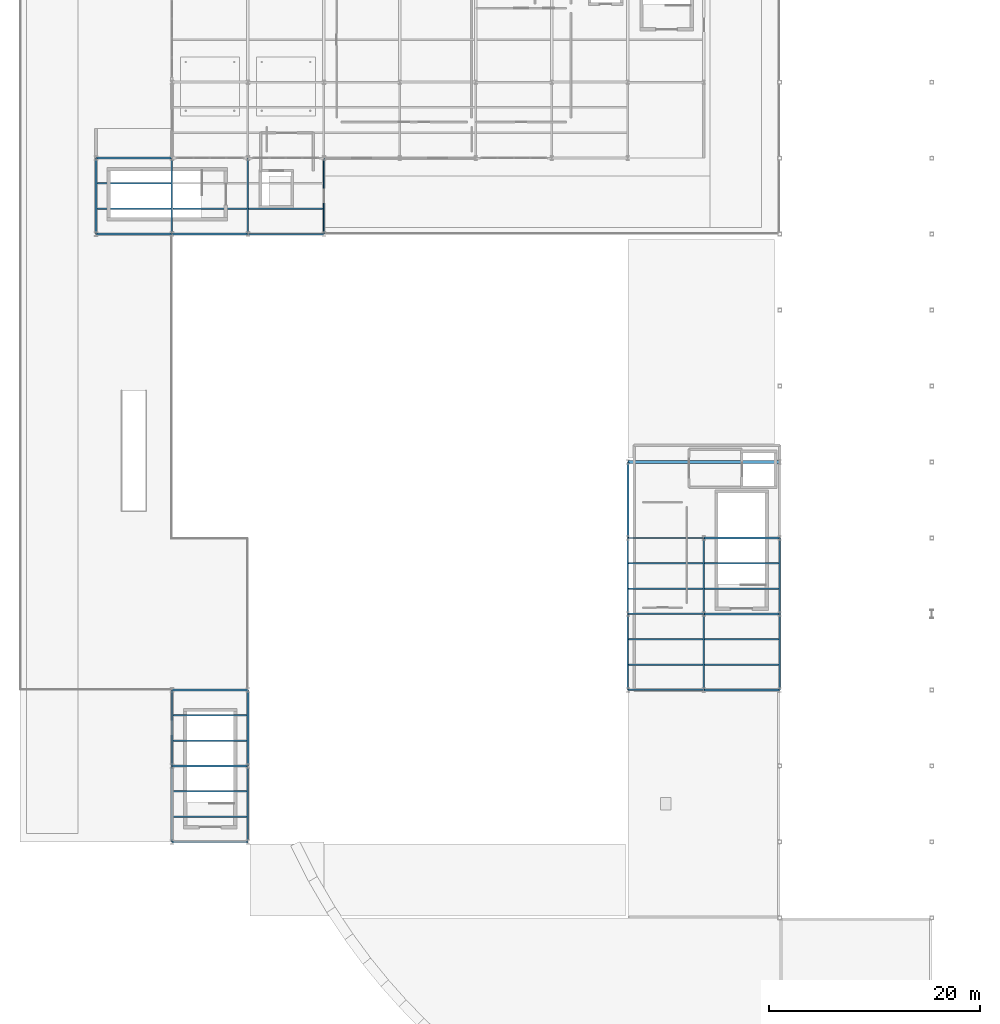
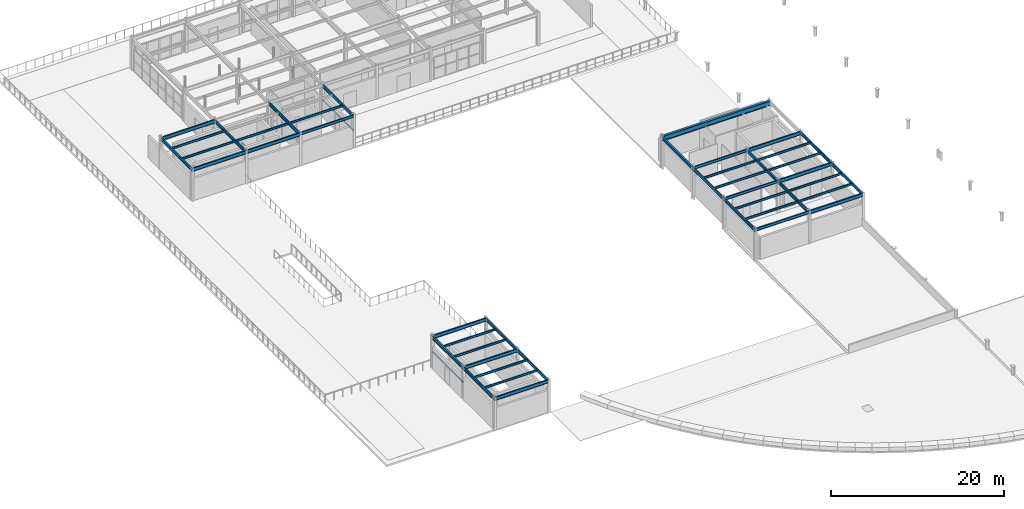
# One storey, part 11 of 41: 47 beams.
"""IFC4 building model written with IfcOpenShell, lengths in metres."""

from ifc_helpers import new_model, si_unit, direction, frame, origin, origin_2d, place, context, subcontext, project, spatial, i_section, extrude, material, material_profile, profile_set, type_object, element, save


model = new_model("IFC4")

# Units and contexts
model_context = context("Model", 3, precision=1e-05, world=origin(), true_north=direction((0.0, 1.0)))
body_context = subcontext(model_context, "Body", "Model", "MODEL_VIEW")
ifc_project = project(units=[si_unit("LENGTHUNIT", "METRE"), si_unit("AREAUNIT", "SQUARE_METRE"), si_unit("VOLUMEUNIT", "CUBIC_METRE"), si_unit("PLANEANGLEUNIT", "RADIAN"), si_unit("MASSUNIT", "GRAM", prefix="KILO")], contexts=[model_context])

# Site, building, storey
site_placement = place(None, origin())
site = spatial("IfcSite", under=ifc_project, at=site_placement, CompositionType="ELEMENT")
building_placement = place(site_placement, origin())
building = spatial("IfcBuilding", under=site, at=building_placement, Name="Solvadek Multi-Sports Hall", CompositionType="ELEMENT")
storey_placement = place(building_placement, frame((0.0, 0.0, 14.39990234375)))
storey = spatial("IfcBuildingStorey", under=building, at=storey_placement, Name="L03", CompositionType="ELEMENT", Elevation=14.39990234375)

# Beams
ifc_material_1 = material(Name="Steel E350 (350 MPa)", Category="steel")
ifc_material_profile_1 = material_profile(ifc_material_1, i_section(OverallWidth=0.139892578125, OverallDepth=0.39990234375, WebThickness=0.0087890625, FlangeThickness=0.01611328125, at=origin_2d()), Name="ISMB 400")
ifc_profile_set_1 = profile_set([ifc_material_profile_1], Name="Steel E350 (350 MPa)")
beam_type_1 = type_object("IfcBeamType", Name="STR-BM-ISMB400", PredefinedType="BEAM", material=ifc_profile_set_1)
for number, where, z_axis, x_axis, name in (
    (1, (57.60009765625, 34.800048828125, 4.400146484375), (1.0, 0.0, 0.0), (0.0, 1.0, 0.0), "L03 Girder B-10 #1612"),
    (2, (57.60009765625, 42.0, 4.400146484375), (1.0, 0.0, 0.0), (0.0, 1.0, 0.0), "L03 Girder B-10 #1614"),
    (3, (57.60009765625, 49.199951171875, 4.400146484375), (1.0, 0.0, 0.0), (0.0, 1.0, 0.0), "L03 Girder B-10 #1619"),
    (4, (21.60009765625, 78.0, 4.400146484375), (1.0, 0.0, 0.0), (0.0, 1.0, 0.0), "L03 Girder B-10 #1628"),
):
    element("IfcBeam", number, at=place(storey_placement, frame(where, z_axis=z_axis, x_axis=x_axis)), inside=storey, type_object=beam_type_1, Name=name, PredefinedType="BEAM", context=body_context, shape_type="SweptSolid", body=[
        extrude(i_section(OverallWidth=0.139892578125, OverallDepth=0.39990234375, WebThickness=0.0087890625, FlangeThickness=0.01611328125, at=origin_2d()), origin(), (0.0, 0.0, 1.0), 7.199951171875),
    ])
ifc_material_profile_2 = material_profile(ifc_material_1, i_section(OverallWidth=0.14990234375, OverallDepth=0.449951171875, WebThickness=0.009521484375, FlangeThickness=0.017333984375, at=origin_2d()), Name="ISMB 450")
ifc_profile_set_2 = profile_set([ifc_material_profile_2], Name="Steel E350 (350 MPa)")
beam_type_2 = type_object("IfcBeamType", Name="STR-BM-ISMB450", PredefinedType="BEAM", material=ifc_profile_set_2)
beam_1_placement = place(storey_placement, frame((7.199951171875, 78.0, 4.375), z_axis=(0.0, 1.0, 0.0), x_axis=(-1.0, 0.0, 0.0)))
element("IfcBeam", 5, at=beam_1_placement, inside=storey, type_object=beam_type_2, Name="L03 Girder B-09 #1652", PredefinedType="BEAM", context=body_context, shape_type="SweptSolid", body=[
    extrude(i_section(OverallWidth=0.14990234375, OverallDepth=0.449951171875, WebThickness=0.009521484375, FlangeThickness=0.017333984375, at=origin_2d()), origin(), (0.0, 0.0, 1.0), 7.199951171875),
])
beam_2_placement = place(storey_placement, frame((14.39990234375, 20.39990234375, 4.375), z_axis=(0.0, 1.0, 0.0), x_axis=(-1.0, 0.0, 0.0)))
element("IfcBeam", 6, at=beam_2_placement, inside=storey, type_object=beam_type_2, Name="L03 Girder B-09 #1653", PredefinedType="BEAM", context=body_context, shape_type="SweptSolid", body=[
    extrude(i_section(OverallWidth=0.14990234375, OverallDepth=0.449951171875, WebThickness=0.009521484375, FlangeThickness=0.017333984375, at=origin_2d()), origin(), (0.0, 0.0, 1.0), 7.2001953125),
])
beam_3_placement = place(storey_placement, frame((14.39990234375, 78.0, 4.375), z_axis=(0.0, 1.0, 0.0), x_axis=(-1.0, 0.0, 0.0)))
element("IfcBeam", 7, at=beam_3_placement, inside=storey, type_object=beam_type_2, Name="L03 Girder B-09 #1655", PredefinedType="BEAM", context=body_context, shape_type="SweptSolid", body=[
    extrude(i_section(OverallWidth=0.14990234375, OverallDepth=0.449951171875, WebThickness=0.009521484375, FlangeThickness=0.017333984375, at=origin_2d()), origin(), (0.0, 0.0, 1.0), 7.199951171875),
])
beam_4_placement = place(storey_placement, frame((21.60009765625, 20.39990234375, 4.375), z_axis=(0.0, 1.0, 0.0), x_axis=(-1.0, 0.0, 0.0)))
element("IfcBeam", 8, at=beam_4_placement, inside=storey, type_object=beam_type_2, Name="L03 Girder B-09 #1658", PredefinedType="BEAM", context=body_context, shape_type="SweptSolid", body=[
    extrude(i_section(OverallWidth=0.14990234375, OverallDepth=0.449951171875, WebThickness=0.009521484375, FlangeThickness=0.017333984375, at=origin_2d()), origin(), (0.0, 0.0, 1.0), 7.2001953125),
])
for number, where, z_axis, x_axis, name in (
    (9, (21.60009765625, 78.0, 4.375), (0.0, 1.0, 0.0), (-1.0, 0.0, 0.0), "L03 Girder B-09 #1660"),
    (10, (28.800048828125, 78.0, 4.375), (0.0, 1.0, 0.0), (-1.0, 0.0, 0.0), "L03 Girder B-09 #1663"),
    (11, (57.60009765625, 34.800048828125, 4.375), (0.0, 1.0, 0.0), (-1.0, 0.0, 0.0), "L03 Girder B-09 #1673"),
    (12, (57.60009765625, 42.0, 4.375), (0.0, 1.0, 0.0), (-1.0, 0.0, 0.0), "L03 Girder B-09 #1674"),
    (13, (64.800048828125, 34.800048828125, 4.375), (0.0, 1.0, 0.0), (-1.0, 0.0, 0.0), "L03 Girder B-09 #1679"),
    (14, (64.800048828125, 42.0, 4.375), (0.0, 1.0, 0.0), (-1.0, 0.0, 0.0), "L03 Girder B-09 #1680"),
    (15, (72.0, 34.800048828125, 4.375), (0.0, 1.0, 0.0), (-1.0, 0.0, 0.0), "L03 Girder B-09 #1683"),
    (16, (72.0, 42.0, 4.375), (0.0, 1.0, 0.0), (-1.0, 0.0, 0.0), "L03 Girder B-09 #1684"),
):
    element("IfcBeam", number, at=place(storey_placement, frame(where, z_axis=z_axis, x_axis=x_axis)), inside=storey, type_object=beam_type_2, Name=name, PredefinedType="BEAM", context=body_context, shape_type="SweptSolid", body=[
        extrude(i_section(OverallWidth=0.14990234375, OverallDepth=0.449951171875, WebThickness=0.009521484375, FlangeThickness=0.017333984375, at=origin_2d()), origin(), (0.0, 0.0, 1.0), 7.199951171875),
    ])
ifc_material_profile_3 = material_profile(ifc_material_1, i_section(OverallWidth=0.179931640625, OverallDepth=0.5, WebThickness=0.01025390625, FlangeThickness=0.01708984375, at=origin_2d()), Name="ISMB 500")
ifc_profile_set_3 = profile_set([ifc_material_profile_3], Name="Steel E350 (350 MPa)")
beam_type_3 = type_object("IfcBeamType", Name="STR-BM-ISMB500", PredefinedType="BEAM", material=ifc_profile_set_3)
for number, where, z_axis, x_axis, name in (
    (17, (14.39990234375, 20.39990234375, 4.35009765625), (1.0, 0.0, 0.0), (0.0, 1.0, 0.0), "L03 Girder B-07 #1609"),
    (18, (14.39990234375, 27.60009765625, 4.35009765625), (1.0, 0.0, 0.0), (0.0, 1.0, 0.0), "L03 Girder B-07 #1610"),
    (19, (14.39990234375, 34.800048828125, 4.35009765625), (1.0, 0.0, 0.0), (0.0, 1.0, 0.0), "L03 Girder B-07 #1611"),
):
    element("IfcBeam", number, at=place(storey_placement, frame(where, z_axis=z_axis, x_axis=x_axis)), inside=storey, type_object=beam_type_3, Name=name, PredefinedType="BEAM", context=body_context, shape_type="SweptSolid", body=[
        extrude(i_section(OverallWidth=0.179931640625, OverallDepth=0.5, WebThickness=0.01025390625, FlangeThickness=0.01708984375, at=origin_2d()), origin(), (0.0, 0.0, 1.0), 7.2001953125),
    ])
for number, where, z_axis, x_axis, name in (
    (20, (64.800048828125, 34.800048828125, 4.35009765625), (1.0, 0.0, 0.0), (0.0, 1.0, 0.0), "L03 Girder B-07 #1613"),
    (21, (64.800048828125, 42.0, 4.35009765625), (1.0, 0.0, 0.0), (0.0, 1.0, 0.0), "L03 Girder B-07 #1615"),
    (22, (64.800048828125, 49.199951171875, 4.35009765625), (1.0, 0.0, 0.0), (0.0, 1.0, 0.0), "L03 Girder B-07 #1620"),
    (23, (7.199951171875, 78.0, 4.35009765625), (1.0, 0.0, 0.0), (0.0, 1.0, 0.0), "L03 Girder B-07 #1626"),
):
    element("IfcBeam", number, at=place(storey_placement, frame(where, z_axis=z_axis, x_axis=x_axis)), inside=storey, type_object=beam_type_3, Name=name, PredefinedType="BEAM", context=body_context, shape_type="SweptSolid", body=[
        extrude(i_section(OverallWidth=0.179931640625, OverallDepth=0.5, WebThickness=0.01025390625, FlangeThickness=0.01708984375, at=origin_2d()), origin(), (0.0, 0.0, 1.0), 7.199951171875),
    ])
beam_5_placement = place(storey_placement, frame((14.39990234375, 78.0, 4.35009765625), z_axis=(1.0, 0.0, 0.0), x_axis=(0.0, 1.0, 0.0)))
element("IfcBeam", 24, at=beam_5_placement, inside=storey, type_object=beam_type_3, Name="L03 Girder B-07 #1627", PredefinedType="BEAM", context=body_context, shape_type="SweptSolid", body=[
    extrude(i_section(OverallWidth=0.179931640625, OverallDepth=0.5, WebThickness=0.01025390625, FlangeThickness=0.01708984375, at=origin_2d()), origin(), (0.0, 0.0, 1.0), 7.2001953125),
])
beam_6_placement = place(storey_placement, frame((7.199951171875, 85.199951171875, 4.35009765625), z_axis=(1.0, 0.0, 0.0), x_axis=(0.0, 1.0, 0.0)))
element("IfcBeam", 25, at=beam_6_placement, inside=storey, type_object=beam_type_3, Name="L03 Girder B-07 #1629", PredefinedType="BEAM", context=body_context, shape_type="SweptSolid", body=[
    extrude(i_section(OverallWidth=0.179931640625, OverallDepth=0.5, WebThickness=0.01025390625, FlangeThickness=0.01708984375, at=origin_2d()), origin(), (0.0, 0.0, 1.0), 7.199951171875),
])
ifc_material_profile_4 = material_profile(ifc_material_1, i_section(OverallWidth=0.18994140625, OverallDepth=0.449951171875, WebThickness=0.009521484375, FlangeThickness=0.0146484375, at=origin_2d()), Name="NPB 450")
ifc_profile_set_4 = profile_set([ifc_material_profile_4], Name="Steel E350 (350 MPa)")
beam_type_4 = type_object("IfcBeamType", Name="STR-BM-NPB450", PredefinedType="BEAM", material=ifc_profile_set_4)
for number, where, z_axis, x_axis, name in (
    (26, (14.39990234375, 27.60009765625, 4.375), (0.0, 1.0, 0.0), (-1.0, 0.0, 0.0), "L03 Girder B-08 #1654"),
    (27, (21.60009765625, 27.60009765625, 4.375), (0.0, 1.0, 0.0), (-1.0, 0.0, 0.0), "L03 Girder B-08 #1659"),
    (28, (57.60009765625, 49.199951171875, 4.375), (0.0, 1.0, 0.0), (-1.0, 0.0, 0.0), "L03 Girder B-08 #1675"),
):
    element("IfcBeam", number, at=place(storey_placement, frame(where, z_axis=z_axis, x_axis=x_axis)), inside=storey, type_object=beam_type_4, Name=name, PredefinedType="BEAM", context=body_context, shape_type="SweptSolid", body=[
        extrude(i_section(OverallWidth=0.18994140625, OverallDepth=0.449951171875, WebThickness=0.009521484375, FlangeThickness=0.0146484375, at=origin_2d()), origin(), (0.0, 0.0, 1.0), 7.199951171875),
    ])
ifc_material_profile_5 = material_profile(ifc_material_1, i_section(OverallWidth=0.300048828125, OverallDepth=0.699951171875, WebThickness=0.01708984375, FlangeThickness=0.031982421875, at=origin_2d()), Name="WPB 700")
ifc_profile_set_5 = profile_set([ifc_material_profile_5], Name="Steel E350 (350 MPa)")
beam_type_5 = type_object("IfcBeamType", Name="STR-BM-WPB700", PredefinedType="BEAM", material=ifc_profile_set_5)
beam_7_placement = place(storey_placement, frame((57.60009765625, 56.39990234375, 4.25), z_axis=(1.0, 0.0, 0.0), x_axis=(0.0, 1.0, 0.0)))
element("IfcBeam", 29, at=beam_7_placement, inside=storey, type_object=beam_type_5, Name="L03 Girder B-01 #1621", PredefinedType="BEAM", context=body_context, shape_type="SweptSolid", body=[
    extrude(i_section(OverallWidth=0.300048828125, OverallDepth=0.699951171875, WebThickness=0.01708984375, FlangeThickness=0.031982421875, at=origin_2d()), origin(), (0.0, 0.0, 1.0), 14.39990234375),
])
ifc_material_profile_6 = material_profile(ifc_material_1, i_section(OverallWidth=0.139892578125, OverallDepth=0.300048828125, WebThickness=0.0078125, FlangeThickness=0.01318359375, at=origin_2d()), Name="ISMB 300")
ifc_profile_set_6 = profile_set([ifc_material_profile_6], Name="Steel E350 (350 MPa)")
beam_type_6 = type_object("IfcBeamType", Name="STR-JST-ISMB300", PredefinedType="JOIST", material=ifc_profile_set_6)
for number, where, z_axis, x_axis, name in (
    (30, (14.47509765625, 22.800048828125, 4.4501953125), (1.0, 0.0, 0.0), (0.0, 1.0, 0.0), "L03 Composite Joist J-03 #904"),
    (31, (14.47509765625, 25.199951171875, 4.4501953125), (1.0, 0.0, 0.0), (0.0, 1.0, 0.0), "L03 Composite Joist J-03 #905"),
):
    element("IfcBeam", number, at=place(storey_placement, frame(where, z_axis=z_axis, x_axis=x_axis)), inside=storey, type_object=beam_type_6, Name=name, PredefinedType="JOIST", context=body_context, shape_type="SweptSolid", body=[
        extrude(i_section(OverallWidth=0.139892578125, OverallDepth=0.300048828125, WebThickness=0.0078125, FlangeThickness=0.01318359375, at=origin_2d()), origin(), (0.0, 0.0, 1.0), 7.0498046875),
    ])
for number, where, z_axis, x_axis, name in (
    (32, (14.4951171875, 30.0, 4.4501953125), (1.0, 0.0, 0.0), (0.0, 1.0, 0.0), "L03 Composite Joist J-03 #906"),
    (33, (14.4951171875, 32.39990234375, 4.4501953125), (1.0, 0.0, 0.0), (0.0, 1.0, 0.0), "L03 Composite Joist J-03 #907"),
):
    element("IfcBeam", number, at=place(storey_placement, frame(where, z_axis=z_axis, x_axis=x_axis)), inside=storey, type_object=beam_type_6, Name=name, PredefinedType="JOIST", context=body_context, shape_type="SweptSolid", body=[
        extrude(i_section(OverallWidth=0.139892578125, OverallDepth=0.300048828125, WebThickness=0.0078125, FlangeThickness=0.01318359375, at=origin_2d()), origin(), (0.0, 0.0, 1.0), 7.009765625),
    ])
for number, where, z_axis, x_axis, name in (
    (34, (57.675048828125, 37.199951171875, 4.4501953125), (1.0, 0.0, 0.0), (0.0, 1.0, 0.0), "L03 Composite Joist J-03 #908"),
    (35, (57.675048828125, 39.60009765625, 4.4501953125), (1.0, 0.0, 0.0), (0.0, 1.0, 0.0), "L03 Composite Joist J-03 #909"),
    (36, (64.875, 37.199951171875, 4.4501953125), (1.0, 0.0, 0.0), (0.0, 1.0, 0.0), "L03 Composite Joist J-03 #910"),
    (37, (64.875, 39.60009765625, 4.4501953125), (1.0, 0.0, 0.0), (0.0, 1.0, 0.0), "L03 Composite Joist J-03 #911"),
    (38, (57.675048828125, 44.39990234375, 4.4501953125), (1.0, 0.0, 0.0), (0.0, 1.0, 0.0), "L03 Composite Joist J-03 #912"),
    (39, (57.675048828125, 46.800048828125, 4.4501953125), (1.0, 0.0, 0.0), (0.0, 1.0, 0.0), "L03 Composite Joist J-03 #913"),
    (40, (64.875, 44.39990234375, 4.4501953125), (1.0, 0.0, 0.0), (0.0, 1.0, 0.0), "L03 Composite Joist J-03 #914"),
    (41, (64.875, 46.800048828125, 4.4501953125), (1.0, 0.0, 0.0), (0.0, 1.0, 0.0), "L03 Composite Joist J-03 #915"),
    (42, (7.27490234375, 80.39990234375, 4.4501953125), (1.0, 0.0, 0.0), (0.0, 1.0, 0.0), "L03 Composite Joist J-03 #916"),
    (43, (7.27490234375, 82.800048828125, 4.4501953125), (1.0, 0.0, 0.0), (0.0, 1.0, 0.0), "L03 Composite Joist J-03 #917"),
):
    element("IfcBeam", number, at=place(storey_placement, frame(where, z_axis=z_axis, x_axis=x_axis)), inside=storey, type_object=beam_type_6, Name=name, PredefinedType="JOIST", context=body_context, shape_type="SweptSolid", body=[
        extrude(i_section(OverallWidth=0.139892578125, OverallDepth=0.300048828125, WebThickness=0.0078125, FlangeThickness=0.01318359375, at=origin_2d()), origin(), (0.0, 0.0, 1.0), 7.050048828125),
    ])
beam_8_placement = place(storey_placement, frame((14.47509765625, 80.39990234375, 4.4501953125), z_axis=(1.0, 0.0, 0.0), x_axis=(0.0, 1.0, 0.0)))
element("IfcBeam", 44, at=beam_8_placement, inside=storey, type_object=beam_type_6, Name="L03 Composite Joist J-03 #918", PredefinedType="JOIST", context=body_context, shape_type="SweptSolid", body=[
    extrude(i_section(OverallWidth=0.139892578125, OverallDepth=0.300048828125, WebThickness=0.0078125, FlangeThickness=0.01318359375, at=origin_2d()), origin(), (0.0, 0.0, 1.0), 7.0498046875),
])
beam_9_placement = place(storey_placement, frame((21.675048828125, 80.39990234375, 4.4501953125), z_axis=(1.0, 0.0, 0.0), x_axis=(0.0, 1.0, 0.0)))
element("IfcBeam", 45, at=beam_9_placement, inside=storey, type_object=beam_type_6, Name="L03 Composite Joist J-03 #920", PredefinedType="JOIST", context=body_context, shape_type="SweptSolid", body=[
    extrude(i_section(OverallWidth=0.139892578125, OverallDepth=0.300048828125, WebThickness=0.0078125, FlangeThickness=0.01318359375, at=origin_2d()), origin(), (0.0, 0.0, 1.0), 7.050048828125),
])
ifc_material_2 = material(Name="Steel E250 (250 MPa)", Category="steel")
ifc_material_profile_7 = material_profile(ifc_material_2, i_section(OverallWidth=0.10009765625, OverallDepth=0.199951171875, WebThickness=0.005615234375, FlangeThickness=0.0107421875, at=origin_2d()), Name="ISMB 200")
ifc_profile_set_7 = profile_set([ifc_material_profile_7], Name="Steel E250 (250 MPa)")
beam_type_7 = type_object("IfcBeamType", Name="STR-LIN-ISMB200", PredefinedType="LINTEL", material=ifc_profile_set_7)
for number, where, z_axis, x_axis, name in (
    (46, (28.800048828125, 78.0, 2.320068359375), (0.0, 1.0, 0.0), (-1.0, 0.0, 0.0), "L03 Opening Lintel #31"),
    (47, (14.39990234375, 27.60009765625, 2.320068359375), (0.0, 1.0, 0.0), (-1.0, 0.0, 0.0), "L03 Opening Lintel #33"),
):
    element("IfcBeam", number, at=place(storey_placement, frame(where, z_axis=z_axis, x_axis=x_axis)), inside=storey, type_object=beam_type_7, Name=name, PredefinedType="LINTEL", context=body_context, shape_type="SweptSolid", body=[
        extrude(i_section(OverallWidth=0.10009765625, OverallDepth=0.199951171875, WebThickness=0.005615234375, FlangeThickness=0.0107421875, at=origin_2d()), origin(), (0.0, 0.0, 1.0), 7.199951171875),
    ])

save(model, "model.ifc")
